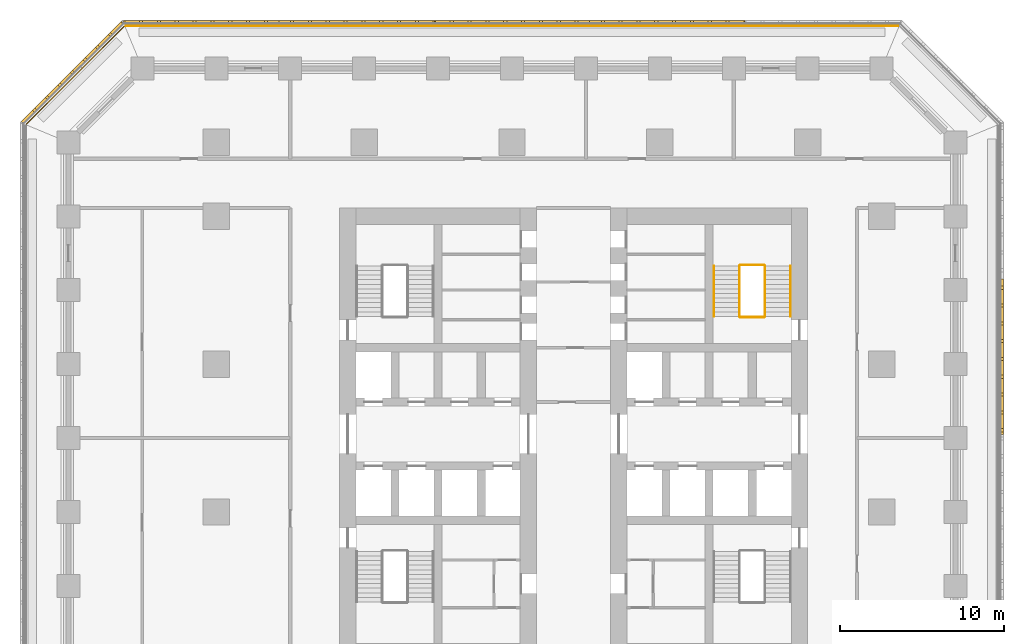
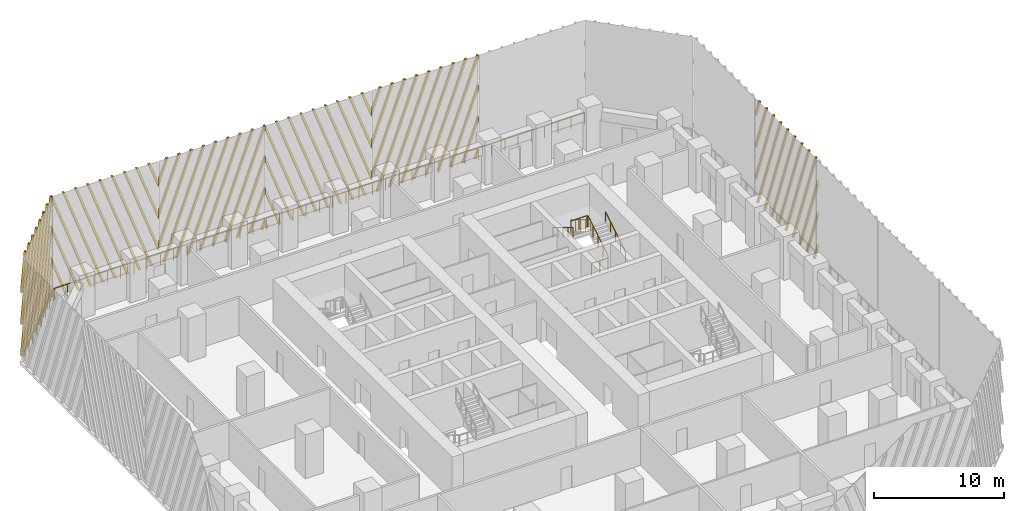
# One storey, part 10 of 12: 8 railings, 6 shading devices.
"""IFC4 building model written with IfcOpenShell, lengths in metres."""

from ifc_helpers import new_model, si_unit, direction, frame, origin, origin_2d, place, context, subcontext, project, spatial, polyline, circle, outline, extrude, source, transform, mapped, material, type_object, element, save


model = new_model("IFC4")

# Units and contexts
model_context = context("Model", 3, precision=1e-05, world=origin(), true_north=direction((0.0, 1.0)))
body_context = subcontext(model_context, "Body", "Model", "MODEL_VIEW")
ifc_project = project(units=[si_unit("LENGTHUNIT", "METRE"), si_unit("AREAUNIT", "SQUARE_METRE"), si_unit("VOLUMEUNIT", "CUBIC_METRE"), si_unit("PLANEANGLEUNIT", "RADIAN"), si_unit("MASSUNIT", "GRAM", prefix="KILO")], contexts=[model_context])

# Site, building, storey
site_placement = place(None, origin())
site = spatial("IfcSite", under=ifc_project, at=site_placement, CompositionType="ELEMENT")
building_placement = place(site_placement, origin())
building = spatial("IfcBuilding", under=site, at=building_placement, Name="Corbel Stack Research Tower", CompositionType="ELEMENT")
storey_placement = place(building_placement, frame((0.0, 0.0, 31.800048828125)))
storey = spatial("IfcBuildingStorey", under=building, at=storey_placement, Name="L07", CompositionType="ELEMENT", Elevation=31.800048828125)

# Railings
ifc_material_1 = material(Name="Steel S355", Category="steel")
railing_type_1 = type_object("IfcRailingType", Name="Stair guard 1100", PredefinedType="GUARDRAIL", material=ifc_material_1)
railing_1_placement = place(storey_placement, frame((15.39990234375, 11.89990234375, 0.1708984375)))
element("IfcRailing", 1, at=railing_1_placement, inside=storey, type_object=railing_type_1, Name="L07 ST-E2 stair guard 1", PredefinedType="GUARDRAIL", context=body_context, shape_type="SweptSolid", body=[
    extrude(circle(Radius=0.02392578125, at=origin_2d()), frame((0.0, 0.0, 1.076171875), z_axis=(0.0, 0.853666305674, 0.52082035152), x_axis=(-1.0, 0.0, 0.0)), (0.0, 0.0, 1.0), 3.608154296875),
    extrude(circle(Radius=0.02099609375, at=origin_2d()), origin(), (0.0, 0.0, 1.0), 1.052001953125),
    extrude(circle(Radius=0.02099609375, at=origin_2d()), frame((0.0, 0.77001953125, 0.4697265625)), (0.0, 0.0, 1.0), 1.052001953125),
    extrude(circle(Radius=0.02099609375, at=origin_2d()), frame((0.0, 1.5400390625, 0.939453125)), (0.0, 0.0, 1.0), 1.052001953125),
    extrude(circle(Radius=0.02099609375, at=origin_2d()), frame((0.0, 2.31005859375, 1.409423828125)), (0.0, 0.0, 1.0), 1.052001953125),
    extrude(circle(Radius=0.02099609375, at=origin_2d()), frame((0.0, 3.080078125, 1.879150390625)), (0.0, 0.0, 1.0), 1.052001953125),
])
railing_2_placement = place(storey_placement, frame((15.35009765625, 15.030029296875, 2.050048828125)))
element("IfcRailing", 2, at=railing_2_placement, inside=storey, type_object=railing_type_1, Name="L07 ST-E2 stair guard 2", PredefinedType="GUARDRAIL", context=body_context, shape_type="SweptSolid", body=[
    extrude(circle(Radius=0.02392578125, at=origin_2d()), frame((0.0, 0.0, 1.076171875), z_axis=(-1.0, 0.0, 0.0), x_axis=(0.0, -1.0, 0.0)), (0.0, 0.0, 1.0), 1.4501953125),
    extrude(circle(Radius=0.02099609375, at=origin_2d()), origin(), (0.0, 0.0, 1.0), 1.052001953125),
    extrude(circle(Radius=0.02099609375, at=origin_2d()), frame((-0.72509765625, 0.0, 0.0)), (0.0, 0.0, 1.0), 1.052001953125),
    extrude(circle(Radius=0.02099609375, at=origin_2d()), frame((-1.4501953125, 0.0, 0.0)), (0.0, 0.0, 1.0), 1.052001953125),
])
railing_3_placement = place(storey_placement, frame((13.85009765625, 14.97998046875, 2.220703125)))
element("IfcRailing", 3, at=railing_3_placement, inside=storey, type_object=railing_type_1, Name="L07 ST-E2 stair guard 3", PredefinedType="GUARDRAIL", context=body_context, shape_type="SweptSolid", body=[
    extrude(circle(Radius=0.02392578125, at=origin_2d()), frame((0.0, 0.0, 1.076171875), z_axis=(0.0, -0.853666305674, 0.52082035152), x_axis=(1.0, 0.0, 0.0)), (0.0, 0.0, 1.0), 3.608154296875),
    extrude(circle(Radius=0.02099609375, at=origin_2d()), origin(), (0.0, 0.0, 1.0), 1.052001953125),
    extrude(circle(Radius=0.02099609375, at=origin_2d()), frame((0.0, -0.77001953125, 0.4697265625)), (0.0, 0.0, 1.0), 1.052001953125),
    extrude(circle(Radius=0.02099609375, at=origin_2d()), frame((0.0, -1.5400390625, 0.939453125)), (0.0, 0.0, 1.0), 1.052001953125),
    extrude(circle(Radius=0.02099609375, at=origin_2d()), frame((0.0, -2.31005859375, 1.409423828125)), (0.0, 0.0, 1.0), 1.052001953125),
    extrude(circle(Radius=0.02099609375, at=origin_2d()), frame((0.0, -3.080078125, 1.879150390625)), (0.0, 0.0, 1.0), 1.052001953125),
])
railing_4_placement = place(storey_placement, frame((15.35009765625, 11.85009765625, 0.0)))
element("IfcRailing", 4, at=railing_4_placement, inside=storey, type_object=railing_type_1, Name="L07 ST-E2 stair guard 4", PredefinedType="GUARDRAIL", context=body_context, shape_type="SweptSolid", body=[
    extrude(circle(Radius=0.02392578125, at=origin_2d()), frame((0.0, 0.0, 1.076171875), z_axis=(-1.0, 0.0, 0.0), x_axis=(0.0, -1.0, 0.0)), (0.0, 0.0, 1.0), 1.4501953125),
    extrude(circle(Radius=0.02099609375, at=origin_2d()), origin(), (0.0, 0.0, 1.0), 1.052001953125),
    extrude(circle(Radius=0.02099609375, at=origin_2d()), frame((-0.72509765625, 0.0, 0.0)), (0.0, 0.0, 1.0), 1.052001953125),
    extrude(circle(Radius=0.02099609375, at=origin_2d()), frame((-1.4501953125, 0.0, 0.0)), (0.0, 0.0, 1.0), 1.052001953125),
])
ifc_material_2 = material(Name="Steel S355", Category="steel")
railing_type_2 = type_object("IfcRailingType", Name="Stair handrail 900", PredefinedType="HANDRAIL", material=ifc_material_2)
railing_5_placement = place(storey_placement, frame((16.949951171875, 11.89990234375, 0.1708984375)))
element("IfcRailing", 5, at=railing_5_placement, inside=storey, type_object=railing_type_2, Name="L07 ST-E2 stair handrail 1", PredefinedType="HANDRAIL", context=body_context, shape_type="SweptSolid", body=[
    extrude(circle(Radius=0.02392578125, at=origin_2d()), frame((0.0, 0.0, 0.8759765625), z_axis=(0.0, 0.853666305674, 0.52082035152), x_axis=(-1.0, 0.0, 0.0)), (0.0, 0.0, 1.0), 3.608154296875),
    extrude(circle(Radius=0.02099609375, at=origin_2d()), origin(), (0.0, 0.0, 1.0), 0.851806640625),
    extrude(circle(Radius=0.02099609375, at=origin_2d()), frame((0.0, 0.77001953125, 0.4697265625)), (0.0, 0.0, 1.0), 0.851806640625),
    extrude(circle(Radius=0.02099609375, at=origin_2d()), frame((0.0, 1.5400390625, 0.939453125)), (0.0, 0.0, 1.0), 0.851806640625),
    extrude(circle(Radius=0.02099609375, at=origin_2d()), frame((0.0, 2.31005859375, 1.409423828125)), (0.0, 0.0, 1.0), 0.851806640625),
    extrude(circle(Radius=0.02099609375, at=origin_2d()), frame((0.0, 3.080078125, 1.879150390625)), (0.0, 0.0, 1.0), 0.851806640625),
])
railing_6_placement = place(storey_placement, frame((12.300048828125, 14.97998046875, 2.220703125)))
element("IfcRailing", 6, at=railing_6_placement, inside=storey, type_object=railing_type_2, Name="L07 ST-E2 stair handrail 2", PredefinedType="HANDRAIL", context=body_context, shape_type="SweptSolid", body=[
    extrude(circle(Radius=0.02392578125, at=origin_2d()), frame((0.0, 0.0, 0.8759765625), z_axis=(0.0, -0.853666305674, 0.52082035152), x_axis=(1.0, 0.0, 0.0)), (0.0, 0.0, 1.0), 3.608154296875),
    extrude(circle(Radius=0.02099609375, at=origin_2d()), origin(), (0.0, 0.0, 1.0), 0.851806640625),
    extrude(circle(Radius=0.02099609375, at=origin_2d()), frame((0.0, -0.77001953125, 0.4697265625)), (0.0, 0.0, 1.0), 0.851806640625),
    extrude(circle(Radius=0.02099609375, at=origin_2d()), frame((0.0, -1.5400390625, 0.939453125)), (0.0, 0.0, 1.0), 0.851806640625),
    extrude(circle(Radius=0.02099609375, at=origin_2d()), frame((0.0, -2.31005859375, 1.409423828125)), (0.0, 0.0, 1.0), 0.851806640625),
    extrude(circle(Radius=0.02099609375, at=origin_2d()), frame((0.0, -3.080078125, 1.879150390625)), (0.0, 0.0, 1.0), 0.851806640625),
])
ifc_material_3 = material(Name="Powder-coated steel guard", Category="steel")
railing_type_3 = type_object("IfcRailingType", Name="Steel and glass guard 1100", PredefinedType="GUARDRAIL", material=ifc_material_3)
railing_7_placement = place(storey_placement, frame((23.50537109375, 29.60009765625, 0.0)))
element("IfcRailing", 7, at=railing_7_placement, inside=storey, type_object=railing_type_3, Name="Loggia guard L07 N", PredefinedType="GUARDRAIL", context=body_context, shape_type="SweptSolid", body=[
    extrude(circle(Radius=0.02392578125, at=origin_2d()), frame((0.0, 0.0, 1.076171875), z_axis=(-1.0, 0.0, 0.0), x_axis=(0.0, -1.0, 0.0)), (0.0, 0.0, 1.0), 47.0107421875),
    extrude(circle(Radius=0.02099609375, at=origin_2d()), origin(), (0.0, 0.0, 1.0), 1.052001953125),
    extrude(circle(Radius=0.02099609375, at=origin_2d()), frame((-1.17529296875, 0.0, 0.0)), (0.0, 0.0, 1.0), 1.052001953125),
    extrude(circle(Radius=0.02099609375, at=origin_2d()), frame((-2.3505859375, 0.0, 0.0)), (0.0, 0.0, 1.0), 1.052001953125),
    extrude(circle(Radius=0.02099609375, at=origin_2d()), frame((-3.52587890625, 0.0, 0.0)), (0.0, 0.0, 1.0), 1.052001953125),
    extrude(circle(Radius=0.02099609375, at=origin_2d()), frame((-4.701171875, 0.0, 0.0)), (0.0, 0.0, 1.0), 1.052001953125),
    extrude(circle(Radius=0.02099609375, at=origin_2d()), frame((-5.87646484375, 0.0, 0.0)), (0.0, 0.0, 1.0), 1.052001953125),
    extrude(circle(Radius=0.02099609375, at=origin_2d()), frame((-7.051513671875, 0.0, 0.0)), (0.0, 0.0, 1.0), 1.052001953125),
    extrude(circle(Radius=0.02099609375, at=origin_2d()), frame((-8.226806640625, 0.0, 0.0)), (0.0, 0.0, 1.0), 1.052001953125),
    extrude(circle(Radius=0.02099609375, at=origin_2d()), frame((-9.402099609375, 0.0, 0.0)), (0.0, 0.0, 1.0), 1.052001953125),
    extrude(circle(Radius=0.02099609375, at=origin_2d()), frame((-10.577392578125, 0.0, 0.0)), (0.0, 0.0, 1.0), 1.052001953125),
    extrude(circle(Radius=0.02099609375, at=origin_2d()), frame((-11.752685546875, 0.0, 0.0)), (0.0, 0.0, 1.0), 1.052001953125),
    extrude(circle(Radius=0.02099609375, at=origin_2d()), frame((-12.927978515625, 0.0, 0.0)), (0.0, 0.0, 1.0), 1.052001953125),
    extrude(circle(Radius=0.02099609375, at=origin_2d()), frame((-14.103271484375, 0.0, 0.0)), (0.0, 0.0, 1.0), 1.052001953125),
    extrude(circle(Radius=0.02099609375, at=origin_2d()), frame((-15.278564453125, 0.0, 0.0)), (0.0, 0.0, 1.0), 1.052001953125),
    extrude(circle(Radius=0.02099609375, at=origin_2d()), frame((-16.453857421875, 0.0, 0.0)), (0.0, 0.0, 1.0), 1.052001953125),
    extrude(circle(Radius=0.02099609375, at=origin_2d()), frame((-17.62890625, 0.0, 0.0)), (0.0, 0.0, 1.0), 1.052001953125),
    extrude(circle(Radius=0.02099609375, at=origin_2d()), frame((-18.80419921875, 0.0, 0.0)), (0.0, 0.0, 1.0), 1.052001953125),
    extrude(circle(Radius=0.02099609375, at=origin_2d()), frame((-19.9794921875, 0.0, 0.0)), (0.0, 0.0, 1.0), 1.052001953125),
    extrude(circle(Radius=0.02099609375, at=origin_2d()), frame((-21.15478515625, 0.0, 0.0)), (0.0, 0.0, 1.0), 1.052001953125),
    extrude(circle(Radius=0.02099609375, at=origin_2d()), frame((-22.330078125, 0.0, 0.0)), (0.0, 0.0, 1.0), 1.052001953125),
    extrude(circle(Radius=0.02099609375, at=origin_2d()), frame((-23.50537109375, 0.0, 0.0)), (0.0, 0.0, 1.0), 1.052001953125),
    extrude(circle(Radius=0.02099609375, at=origin_2d()), frame((-24.6806640625, 0.0, 0.0)), (0.0, 0.0, 1.0), 1.052001953125),
    extrude(circle(Radius=0.02099609375, at=origin_2d()), frame((-25.85595703125, 0.0, 0.0)), (0.0, 0.0, 1.0), 1.052001953125),
    extrude(circle(Radius=0.02099609375, at=origin_2d()), frame((-27.03125, 0.0, 0.0)), (0.0, 0.0, 1.0), 1.052001953125),
    extrude(circle(Radius=0.02099609375, at=origin_2d()), frame((-28.20654296875, 0.0, 0.0)), (0.0, 0.0, 1.0), 1.052001953125),
    extrude(circle(Radius=0.02099609375, at=origin_2d()), frame((-29.3818359375, 0.0, 0.0)), (0.0, 0.0, 1.0), 1.052001953125),
    extrude(circle(Radius=0.02099609375, at=origin_2d()), frame((-30.556884765625, 0.0, 0.0)), (0.0, 0.0, 1.0), 1.052001953125),
    extrude(circle(Radius=0.02099609375, at=origin_2d()), frame((-31.732177734375, 0.0, 0.0)), (0.0, 0.0, 1.0), 1.052001953125),
    extrude(circle(Radius=0.02099609375, at=origin_2d()), frame((-32.907470703125, 0.0, 0.0)), (0.0, 0.0, 1.0), 1.052001953125),
    extrude(circle(Radius=0.02099609375, at=origin_2d()), frame((-34.082763671875, 0.0, 0.0)), (0.0, 0.0, 1.0), 1.052001953125),
    extrude(circle(Radius=0.02099609375, at=origin_2d()), frame((-35.258056640625, 0.0, 0.0)), (0.0, 0.0, 1.0), 1.052001953125),
    extrude(circle(Radius=0.02099609375, at=origin_2d()), frame((-36.433349609375, 0.0, 0.0)), (0.0, 0.0, 1.0), 1.052001953125),
    extrude(circle(Radius=0.02099609375, at=origin_2d()), frame((-37.608642578125, 0.0, 0.0)), (0.0, 0.0, 1.0), 1.052001953125),
    extrude(circle(Radius=0.02099609375, at=origin_2d()), frame((-38.783935546875, 0.0, 0.0)), (0.0, 0.0, 1.0), 1.052001953125),
    extrude(circle(Radius=0.02099609375, at=origin_2d()), frame((-39.959228515625, 0.0, 0.0)), (0.0, 0.0, 1.0), 1.052001953125),
    extrude(circle(Radius=0.02099609375, at=origin_2d()), frame((-41.13427734375, 0.0, 0.0)), (0.0, 0.0, 1.0), 1.052001953125),
    extrude(circle(Radius=0.02099609375, at=origin_2d()), frame((-42.3095703125, 0.0, 0.0)), (0.0, 0.0, 1.0), 1.052001953125),
    extrude(circle(Radius=0.02099609375, at=origin_2d()), frame((-43.48486328125, 0.0, 0.0)), (0.0, 0.0, 1.0), 1.052001953125),
    extrude(circle(Radius=0.02099609375, at=origin_2d()), frame((-44.66015625, 0.0, 0.0)), (0.0, 0.0, 1.0), 1.052001953125),
    extrude(circle(Radius=0.02099609375, at=origin_2d()), frame((-45.83544921875, 0.0, 0.0)), (0.0, 0.0, 1.0), 1.052001953125),
    extrude(circle(Radius=0.02099609375, at=origin_2d()), frame((-47.0107421875, 0.0, 0.0)), (0.0, 0.0, 1.0), 1.052001953125),
])
railing_8_placement = place(storey_placement, frame((-23.627685546875, 29.54931640625, 0.0)))
element("IfcRailing", 8, at=railing_8_placement, inside=storey, type_object=railing_type_3, Name="Loggia guard L07 NW", PredefinedType="GUARDRAIL", context=body_context, shape_type="SweptSolid", body=[
    extrude(circle(Radius=0.02392578125, at=origin_2d()), frame((0.0, 0.0, 1.076171875), z_axis=(-0.707106781187, -0.707106781187, 0.0), x_axis=(0.707106781187, -0.707106781187, 0.0)), (0.0, 0.0, 1.0), 8.37451171875),
    extrude(circle(Radius=0.02099609375, at=origin_2d()), origin(), (0.0, 0.0, 1.0), 1.052001953125),
    extrude(circle(Radius=0.02099609375, at=origin_2d()), frame((-0.845947265625, -0.845947265625, 0.0)), (0.0, 0.0, 1.0), 1.052001953125),
    extrude(circle(Radius=0.02099609375, at=origin_2d()), frame((-1.69189453125, -1.69189453125, 0.0)), (0.0, 0.0, 1.0), 1.052001953125),
    extrude(circle(Radius=0.02099609375, at=origin_2d()), frame((-2.537841796875, -2.537841796875, 0.0)), (0.0, 0.0, 1.0), 1.052001953125),
    extrude(circle(Radius=0.02099609375, at=origin_2d()), frame((-3.3837890625, -3.3837890625, 0.0)), (0.0, 0.0, 1.0), 1.052001953125),
    extrude(circle(Radius=0.02099609375, at=origin_2d()), frame((-4.229736328125, -4.229736328125, 0.0)), (0.0, 0.0, 1.0), 1.052001953125),
    extrude(circle(Radius=0.02099609375, at=origin_2d()), frame((-5.07568359375, -5.07568359375, 0.0)), (0.0, 0.0, 1.0), 1.052001953125),
    extrude(circle(Radius=0.02099609375, at=origin_2d()), frame((-5.921630859375, -5.921630859375, 0.0)), (0.0, 0.0, 1.0), 1.052001953125),
])

# Shading devices
ifc_material_4 = material(Name="Precast terracotta", Category="masonry")
shading_device_type = type_object("IfcShadingDeviceType", Name="Terracotta screen panel", PredefinedType="USERDEFINED", material=ifc_material_4)
shared_shape_1 = source(origin(), body_context, "Body", "SweptSolid", [
    extrude(outline(polyline([(0.60205078125, 0.0), (0.0, 1.654296875), (0.0, 1.13232421875), (0.412109375, 0.0), (0.60205078125, 0.0)])), frame((0.0, 0.0, 0.0), z_axis=(0.0, -1.0, 0.0), x_axis=(1.0, 0.0, 0.0)), (0.0, 0.0, 1.0), 0.179931640625),
    extrude(outline(polyline([(1.686767578125, 0.0), (0.0, 4.634521484375), (0.0, 4.1123046875), (1.496826171875, 0.0), (1.686767578125, 0.0)])), frame((0.0, 0.0, 0.0), z_axis=(0.0, -1.0, 0.0), x_axis=(1.0, 0.0, 0.0)), (0.0, 0.0, 1.0), 0.179931640625),
    extrude(outline(polyline([(2.771484375, 0.0), (0.0, 7.614501953125), (0.0, 7.092529296875), (2.58154296875, 0.0), (2.771484375, 0.0)])), frame((0.0, 0.0, 0.0), z_axis=(0.0, -1.0, 0.0), x_axis=(1.0, 0.0, 0.0)), (0.0, 0.0, 1.0), 0.179931640625),
    extrude(outline(polyline([(3.856201171875, 0.0), (0.34375, 9.64990234375), (0.15380859375, 9.64990234375), (3.666015625, 0.0), (3.856201171875, 0.0)])), frame((0.0, 0.0, 0.0), z_axis=(0.0, -1.0, 0.0), x_axis=(1.0, 0.0, 0.0)), (0.0, 0.0, 1.0), 0.179931640625),
    extrude(outline(polyline([(4.94091796875, 0.0), (1.428466796875, 9.64990234375), (1.238525390625, 9.64990234375), (4.750732421875, 0.0), (4.94091796875, 0.0)])), frame((0.0, 0.0, 0.0), z_axis=(0.0, -1.0, 0.0), x_axis=(1.0, 0.0, 0.0)), (0.0, 0.0, 1.0), 0.179931640625),
    extrude(outline(polyline([(6.025390625, 0.0), (2.51318359375, 9.64990234375), (2.3232421875, 9.64990234375), (5.83544921875, 0.0), (6.025390625, 0.0)])), frame((0.0, 0.0, 0.0), z_axis=(0.0, -1.0, 0.0), x_axis=(1.0, 0.0, 0.0)), (0.0, 0.0, 1.0), 0.179931640625),
    extrude(outline(polyline([(7.110107421875, 0.0), (3.597900390625, 9.64990234375), (3.40771484375, 9.64990234375), (6.920166015625, 0.0), (7.110107421875, 0.0)])), frame((0.0, 0.0, 0.0), z_axis=(0.0, -1.0, 0.0), x_axis=(1.0, 0.0, 0.0)), (0.0, 0.0, 1.0), 0.179931640625),
    extrude(outline(polyline([(8.19482421875, 0.0), (4.6826171875, 9.64990234375), (4.492431640625, 9.64990234375), (8.0048828125, 0.0), (8.19482421875, 0.0)])), frame((0.0, 0.0, 0.0), z_axis=(0.0, -1.0, 0.0), x_axis=(1.0, 0.0, 0.0)), (0.0, 0.0, 1.0), 0.179931640625),
    extrude(outline(polyline([(9.279541015625, 0.0), (5.76708984375, 9.64990234375), (5.5771484375, 9.64990234375), (9.089599609375, 0.0), (9.279541015625, 0.0)])), frame((0.0, 0.0, 0.0), z_axis=(0.0, -1.0, 0.0), x_axis=(1.0, 0.0, 0.0)), (0.0, 0.0, 1.0), 0.179931640625),
    extrude(outline(polyline([(6.851806640625, 9.64990234375), (6.661865234375, 9.64990234375), (9.45556640625, 1.97412109375), (9.45556640625, 2.49609375), (6.851806640625, 9.64990234375)])), frame((0.0, 0.0, 0.0), z_axis=(0.0, -1.0, 0.0), x_axis=(1.0, 0.0, 0.0)), (0.0, 0.0, 1.0), 0.179931640625),
    extrude(outline(polyline([(7.9365234375, 9.64990234375), (7.74658203125, 9.64990234375), (9.45556640625, 4.9541015625), (9.45556640625, 5.476318359375), (7.9365234375, 9.64990234375)])), frame((0.0, 0.0, 0.0), z_axis=(0.0, -1.0, 0.0), x_axis=(1.0, 0.0, 0.0)), (0.0, 0.0, 1.0), 0.179931640625),
    extrude(outline(polyline([(9.021240234375, 9.64990234375), (8.831298828125, 9.64990234375), (9.45556640625, 7.93408203125), (9.45556640625, 8.456298828125), (9.021240234375, 9.64990234375)])), frame((0.0, 0.0, 0.0), z_axis=(0.0, -1.0, 0.0), x_axis=(1.0, 0.0, 0.0)), (0.0, 0.0, 1.0), 0.179931640625),
])
shading_device_1_placement = place(storey_placement, frame((29.75, 4.727783203125, 0.0), z_axis=(0.0, 0.0, 1.0), x_axis=(0.0, 1.0, 0.0)))
element("IfcShadingDevice", 9, at=shading_device_1_placement, inside=storey, type_object=shading_device_type, Name="Terracotta screen L07 E4", ObjectType="SCREEN", PredefinedType="USERDEFINED", context=body_context, shape_type="MappedRepresentation", body=[
    mapped(shared_shape_1, transform((0.0, 0.0, 0.0))),
])
shared_shape_2 = source(origin(), body_context, "Body", "SweptSolid", [
    extrude(outline(polyline([(0.8955078125, 9.64990234375), (0.70556640625, 9.64990234375), (0.0, 7.711181640625), (0.0, 7.189208984375), (0.8955078125, 9.64990234375)])), frame((0.0, 0.0, 0.0), z_axis=(0.0, -1.0, 0.0), x_axis=(1.0, 0.0, 0.0)), (0.0, 0.0, 1.0), 0.179931640625),
    extrude(outline(polyline([(1.980224609375, 9.64990234375), (1.790283203125, 9.64990234375), (0.0, 4.731201171875), (0.0, 4.208984375), (1.980224609375, 9.64990234375)])), frame((0.0, 0.0, 0.0), z_axis=(0.0, -1.0, 0.0), x_axis=(1.0, 0.0, 0.0)), (0.0, 0.0, 1.0), 0.179931640625),
    extrude(outline(polyline([(3.06494140625, 9.64990234375), (2.875, 9.64990234375), (0.0, 1.751220703125), (0.0, 1.22900390625), (3.06494140625, 9.64990234375)])), frame((0.0, 0.0, 0.0), z_axis=(0.0, -1.0, 0.0), x_axis=(1.0, 0.0, 0.0)), (0.0, 0.0, 1.0), 0.179931640625),
    extrude(outline(polyline([(0.63720703125, 0.0), (4.149658203125, 9.64990234375), (3.959716796875, 9.64990234375), (0.447265625, 0.0), (0.63720703125, 0.0)])), frame((0.0, 0.0, 0.0), z_axis=(0.0, -1.0, 0.0), x_axis=(1.0, 0.0, 0.0)), (0.0, 0.0, 1.0), 0.179931640625),
    extrude(outline(polyline([(1.721923828125, 0.0), (5.234375, 9.64990234375), (5.044189453125, 9.64990234375), (1.531982421875, 0.0), (1.721923828125, 0.0)])), frame((0.0, 0.0, 0.0), z_axis=(0.0, -1.0, 0.0), x_axis=(1.0, 0.0, 0.0)), (0.0, 0.0, 1.0), 0.179931640625),
    extrude(outline(polyline([(2.806640625, 0.0), (6.319091796875, 9.64990234375), (6.12890625, 9.64990234375), (2.61669921875, 0.0), (2.806640625, 0.0)])), frame((0.0, 0.0, 0.0), z_axis=(0.0, -1.0, 0.0), x_axis=(1.0, 0.0, 0.0)), (0.0, 0.0, 1.0), 0.179931640625),
    extrude(outline(polyline([(3.891357421875, 0.0), (7.403564453125, 9.64990234375), (7.213623046875, 9.64990234375), (3.701416015625, 0.0), (3.891357421875, 0.0)])), frame((0.0, 0.0, 0.0), z_axis=(0.0, -1.0, 0.0), x_axis=(1.0, 0.0, 0.0)), (0.0, 0.0, 1.0), 0.179931640625),
    extrude(outline(polyline([(4.97607421875, 0.0), (8.48828125, 9.64990234375), (8.29833984375, 9.64990234375), (4.785888671875, 0.0), (4.97607421875, 0.0)])), frame((0.0, 0.0, 0.0), z_axis=(0.0, -1.0, 0.0), x_axis=(1.0, 0.0, 0.0)), (0.0, 0.0, 1.0), 0.179931640625),
    extrude(outline(polyline([(6.060791015625, 0.0), (9.45556640625, 9.32763671875), (9.45556640625, 9.64990234375), (9.383056640625, 9.64990234375), (5.87060546875, 0.0), (6.060791015625, 0.0)])), frame((0.0, 0.0, 0.0), z_axis=(0.0, -1.0, 0.0), x_axis=(1.0, 0.0, 0.0)), (0.0, 0.0, 1.0), 0.179931640625),
    extrude(outline(polyline([(7.145263671875, 0.0), (9.45556640625, 6.347412109375), (9.45556640625, 6.869384765625), (6.955322265625, 0.0), (7.145263671875, 0.0)])), frame((0.0, 0.0, 0.0), z_axis=(0.0, -1.0, 0.0), x_axis=(1.0, 0.0, 0.0)), (0.0, 0.0, 1.0), 0.179931640625),
    extrude(outline(polyline([(8.22998046875, 0.0), (9.45556640625, 3.367431640625), (9.45556640625, 3.889404296875), (8.0400390625, 0.0), (8.22998046875, 0.0)])), frame((0.0, 0.0, 0.0), z_axis=(0.0, -1.0, 0.0), x_axis=(1.0, 0.0, 0.0)), (0.0, 0.0, 1.0), 0.179931640625),
    extrude(outline(polyline([(9.314697265625, 0.0), (9.45556640625, 0.38720703125), (9.45556640625, 0.9091796875), (9.124755859375, 0.0), (9.314697265625, 0.0)])), frame((0.0, 0.0, 0.0), z_axis=(0.0, -1.0, 0.0), x_axis=(1.0, 0.0, 0.0)), (0.0, 0.0, 1.0), 0.179931640625),
])
for number, where, z_axis, x_axis, name in (
    (10, (4.727783203125, 29.75, 0.0), (0.0, 0.0, 1.0), (-1.0, 0.0, 0.0), "Terracotta screen L07 N3"),
    (11, (-14.18359375, 29.75, 0.0), (0.0, 0.0, 1.0), (-1.0, 0.0, 0.0), "Terracotta screen L07 N5"),
):
    element("IfcShadingDevice", number, at=place(storey_placement, frame(where, z_axis=z_axis, x_axis=x_axis)), inside=storey, type_object=shading_device_type, Name=name, ObjectType="SCREEN", PredefinedType="USERDEFINED", context=body_context, shape_type="MappedRepresentation", body=[
        mapped(shared_shape_2, transform((0.0, 0.0, 0.0))),
    ])
shared_shape_3 = source(origin(), body_context, "Body", "SweptSolid", [
    extrude(outline(polyline([(0.3310546875, 0.0), (0.0, 0.9091796875), (0.0, 0.38720703125), (0.14111328125, 0.0), (0.3310546875, 0.0)])), frame((0.0, 0.0, 0.0), z_axis=(0.0, -1.0, 0.0), x_axis=(1.0, 0.0, 0.0)), (0.0, 0.0, 1.0), 0.179931640625),
    extrude(outline(polyline([(1.41552734375, 0.0), (0.0, 3.889404296875), (0.0, 3.367431640625), (1.2255859375, 0.0), (1.41552734375, 0.0)])), frame((0.0, 0.0, 0.0), z_axis=(0.0, -1.0, 0.0), x_axis=(1.0, 0.0, 0.0)), (0.0, 0.0, 1.0), 0.179931640625),
    extrude(outline(polyline([(2.500244140625, 0.0), (0.0, 6.869384765625), (0.0, 6.347412109375), (2.310302734375, 0.0), (2.500244140625, 0.0)])), frame((0.0, 0.0, 0.0), z_axis=(0.0, -1.0, 0.0), x_axis=(1.0, 0.0, 0.0)), (0.0, 0.0, 1.0), 0.179931640625),
    extrude(outline(polyline([(3.5849609375, 0.0), (0.07275390625, 9.64990234375), (0.0, 9.64990234375), (0.0, 9.32763671875), (3.39501953125, 0.0), (3.5849609375, 0.0)])), frame((0.0, 0.0, 0.0), z_axis=(0.0, -1.0, 0.0), x_axis=(1.0, 0.0, 0.0)), (0.0, 0.0, 1.0), 0.179931640625),
    extrude(outline(polyline([(4.669677734375, 0.0), (1.1572265625, 9.64990234375), (0.96728515625, 9.64990234375), (4.4794921875, 0.0), (4.669677734375, 0.0)])), frame((0.0, 0.0, 0.0), z_axis=(0.0, -1.0, 0.0), x_axis=(1.0, 0.0, 0.0)), (0.0, 0.0, 1.0), 0.179931640625),
    extrude(outline(polyline([(5.75439453125, 0.0), (2.241943359375, 9.64990234375), (2.052001953125, 9.64990234375), (5.564208984375, 0.0), (5.75439453125, 0.0)])), frame((0.0, 0.0, 0.0), z_axis=(0.0, -1.0, 0.0), x_axis=(1.0, 0.0, 0.0)), (0.0, 0.0, 1.0), 0.179931640625),
    extrude(outline(polyline([(6.839111328125, 0.0), (3.32666015625, 9.64990234375), (3.13671875, 9.64990234375), (6.64892578125, 0.0), (6.839111328125, 0.0)])), frame((0.0, 0.0, 0.0), z_axis=(0.0, -1.0, 0.0), x_axis=(1.0, 0.0, 0.0)), (0.0, 0.0, 1.0), 0.179931640625),
    extrude(outline(polyline([(7.923583984375, 0.0), (4.411376953125, 9.64990234375), (4.22119140625, 9.64990234375), (7.733642578125, 0.0), (7.923583984375, 0.0)])), frame((0.0, 0.0, 0.0), z_axis=(0.0, -1.0, 0.0), x_axis=(1.0, 0.0, 0.0)), (0.0, 0.0, 1.0), 0.179931640625),
    extrude(outline(polyline([(9.00830078125, 0.0), (5.49609375, 9.64990234375), (5.305908203125, 9.64990234375), (8.818359375, 0.0), (9.00830078125, 0.0)])), frame((0.0, 0.0, 0.0), z_axis=(0.0, -1.0, 0.0), x_axis=(1.0, 0.0, 0.0)), (0.0, 0.0, 1.0), 0.179931640625),
    extrude(outline(polyline([(6.580810546875, 9.64990234375), (6.390625, 9.64990234375), (9.45556640625, 1.22900390625), (9.45556640625, 1.751220703125), (6.580810546875, 9.64990234375)])), frame((0.0, 0.0, 0.0), z_axis=(0.0, -1.0, 0.0), x_axis=(1.0, 0.0, 0.0)), (0.0, 0.0, 1.0), 0.179931640625),
    extrude(outline(polyline([(7.665283203125, 9.64990234375), (7.475341796875, 9.64990234375), (9.45556640625, 4.208984375), (9.45556640625, 4.731201171875), (7.665283203125, 9.64990234375)])), frame((0.0, 0.0, 0.0), z_axis=(0.0, -1.0, 0.0), x_axis=(1.0, 0.0, 0.0)), (0.0, 0.0, 1.0), 0.179931640625),
    extrude(outline(polyline([(8.75, 9.64990234375), (8.56005859375, 9.64990234375), (9.45556640625, 7.189208984375), (9.45556640625, 7.711181640625), (8.75, 9.64990234375)])), frame((0.0, 0.0, 0.0), z_axis=(0.0, -1.0, 0.0), x_axis=(1.0, 0.0, 0.0)), (0.0, 0.0, 1.0), 0.179931640625),
])
for number, where, z_axis, x_axis, name in (
    (12, (14.18359375, 29.75, 0.0), (0.0, 0.0, 1.0), (-1.0, 0.0, 0.0), "Terracotta screen L07 N2"),
    (13, (-4.727783203125, 29.75, 0.0), (0.0, 0.0, 1.0), (-1.0, 0.0, 0.0), "Terracotta screen L07 N4"),
):
    element("IfcShadingDevice", number, at=place(storey_placement, frame(where, z_axis=z_axis, x_axis=x_axis)), inside=storey, type_object=shading_device_type, Name=name, ObjectType="SCREEN", PredefinedType="USERDEFINED", context=body_context, shape_type="MappedRepresentation", body=[
        mapped(shared_shape_3, transform((0.0, 0.0, 0.0))),
    ])
shared_shape_4 = source(origin(), body_context, "Body", "SweptSolid", [
    extrude(outline(polyline([(0.3310546875, 0.0), (0.0, 0.9091796875), (0.0, 0.38720703125), (0.14111328125, 0.0), (0.3310546875, 0.0)])), frame((0.0, 0.0, 0.0), z_axis=(0.0, -1.0, 0.0), x_axis=(1.0, 0.0, 0.0)), (0.0, 0.0, 1.0), 0.179931640625),
    extrude(outline(polyline([(1.41552734375, 0.0), (0.0, 3.889404296875), (0.0, 3.367431640625), (1.2255859375, 0.0), (1.41552734375, 0.0)])), frame((0.0, 0.0, 0.0), z_axis=(0.0, -1.0, 0.0), x_axis=(1.0, 0.0, 0.0)), (0.0, 0.0, 1.0), 0.179931640625),
    extrude(outline(polyline([(2.500244140625, 0.0), (0.0, 6.869384765625), (0.0, 6.347412109375), (2.310302734375, 0.0), (2.500244140625, 0.0)])), frame((0.0, 0.0, 0.0), z_axis=(0.0, -1.0, 0.0), x_axis=(1.0, 0.0, 0.0)), (0.0, 0.0, 1.0), 0.179931640625),
    extrude(outline(polyline([(3.5849609375, 0.0), (0.07275390625, 9.64990234375), (0.0, 9.64990234375), (0.0, 9.32763671875), (3.39501953125, 0.0), (3.5849609375, 0.0)])), frame((0.0, 0.0, 0.0), z_axis=(0.0, -1.0, 0.0), x_axis=(1.0, 0.0, 0.0)), (0.0, 0.0, 1.0), 0.179931640625),
    extrude(outline(polyline([(4.669677734375, 0.0), (1.1572265625, 9.64990234375), (0.96728515625, 9.64990234375), (4.4794921875, 0.0), (4.669677734375, 0.0)])), frame((0.0, 0.0, 0.0), z_axis=(0.0, -1.0, 0.0), x_axis=(1.0, 0.0, 0.0)), (0.0, 0.0, 1.0), 0.179931640625),
    extrude(outline(polyline([(5.75439453125, 0.0), (2.241943359375, 9.64990234375), (2.052001953125, 9.64990234375), (5.564208984375, 0.0), (5.75439453125, 0.0)])), frame((0.0, 0.0, 0.0), z_axis=(0.0, -1.0, 0.0), x_axis=(1.0, 0.0, 0.0)), (0.0, 0.0, 1.0), 0.179931640625),
    extrude(outline(polyline([(6.839111328125, 0.0), (3.32666015625, 9.64990234375), (3.13671875, 9.64990234375), (6.64892578125, 0.0), (6.839111328125, 0.0)])), frame((0.0, 0.0, 0.0), z_axis=(0.0, -1.0, 0.0), x_axis=(1.0, 0.0, 0.0)), (0.0, 0.0, 1.0), 0.179931640625),
    extrude(outline(polyline([(7.923583984375, 0.0), (4.411376953125, 9.64990234375), (4.22119140625, 9.64990234375), (7.733642578125, 0.0), (7.923583984375, 0.0)])), frame((0.0, 0.0, 0.0), z_axis=(0.0, -1.0, 0.0), x_axis=(1.0, 0.0, 0.0)), (0.0, 0.0, 1.0), 0.179931640625),
    extrude(outline(polyline([(5.49609375, 9.64990234375), (5.305908203125, 9.64990234375), (8.64208984375, 0.48388671875), (8.64208984375, 1.006103515625), (5.49609375, 9.64990234375)])), frame((0.0, 0.0, 0.0), z_axis=(0.0, -1.0, 0.0), x_axis=(1.0, 0.0, 0.0)), (0.0, 0.0, 1.0), 0.179931640625),
    extrude(outline(polyline([(6.580810546875, 9.64990234375), (6.390625, 9.64990234375), (8.64208984375, 3.464111328125), (8.64208984375, 3.986083984375), (6.580810546875, 9.64990234375)])), frame((0.0, 0.0, 0.0), z_axis=(0.0, -1.0, 0.0), x_axis=(1.0, 0.0, 0.0)), (0.0, 0.0, 1.0), 0.179931640625),
    extrude(outline(polyline([(7.665283203125, 9.64990234375), (7.475341796875, 9.64990234375), (8.64208984375, 6.444091796875), (8.64208984375, 6.96630859375), (7.665283203125, 9.64990234375)])), frame((0.0, 0.0, 0.0), z_axis=(0.0, -1.0, 0.0), x_axis=(1.0, 0.0, 0.0)), (0.0, 0.0, 1.0), 0.179931640625),
])
shading_device_2_placement = place(storey_placement, frame((-23.63916015625, 29.75, 0.0), z_axis=(0.0, 0.0, 1.0), x_axis=(-0.707106781187, -0.707106781187, 0.0)))
element("IfcShadingDevice", 14, at=shading_device_2_placement, inside=storey, type_object=shading_device_type, Name="Terracotta screen L07 NW1", ObjectType="SCREEN", PredefinedType="USERDEFINED", context=body_context, shape_type="MappedRepresentation", body=[
    mapped(shared_shape_4, transform((0.0, 0.0, 0.0))),
])

save(model, "model.ifc")
